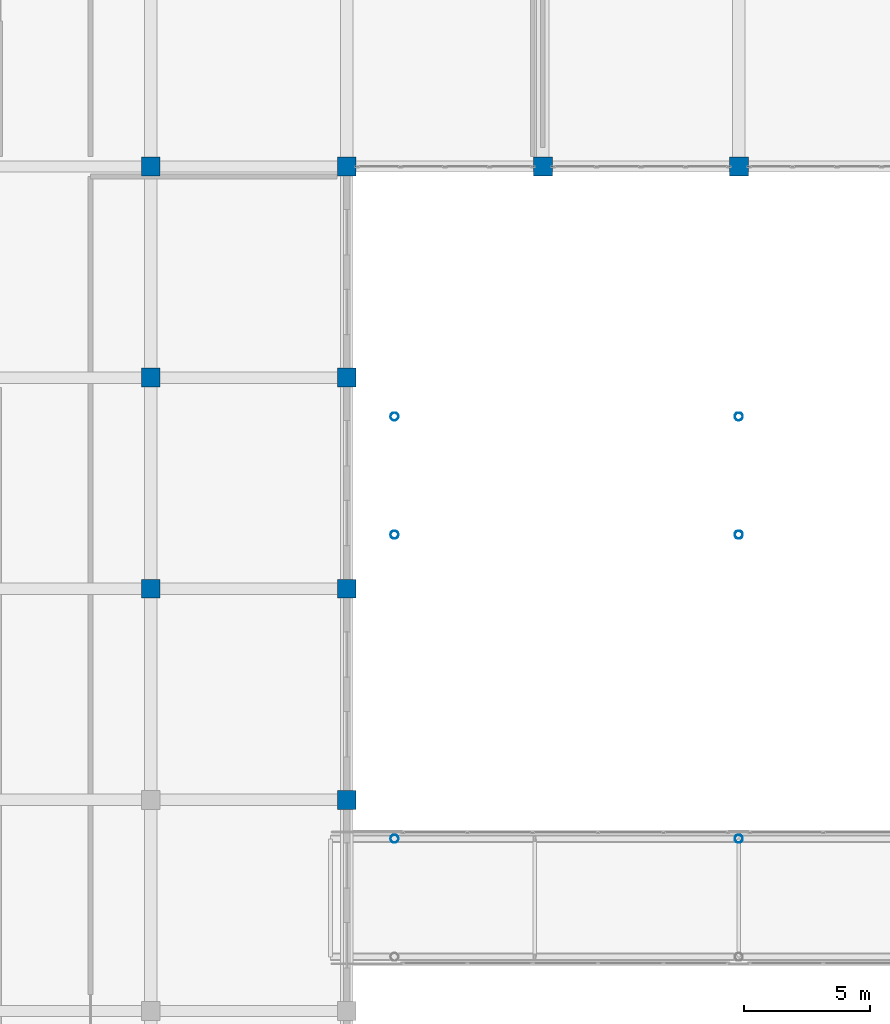
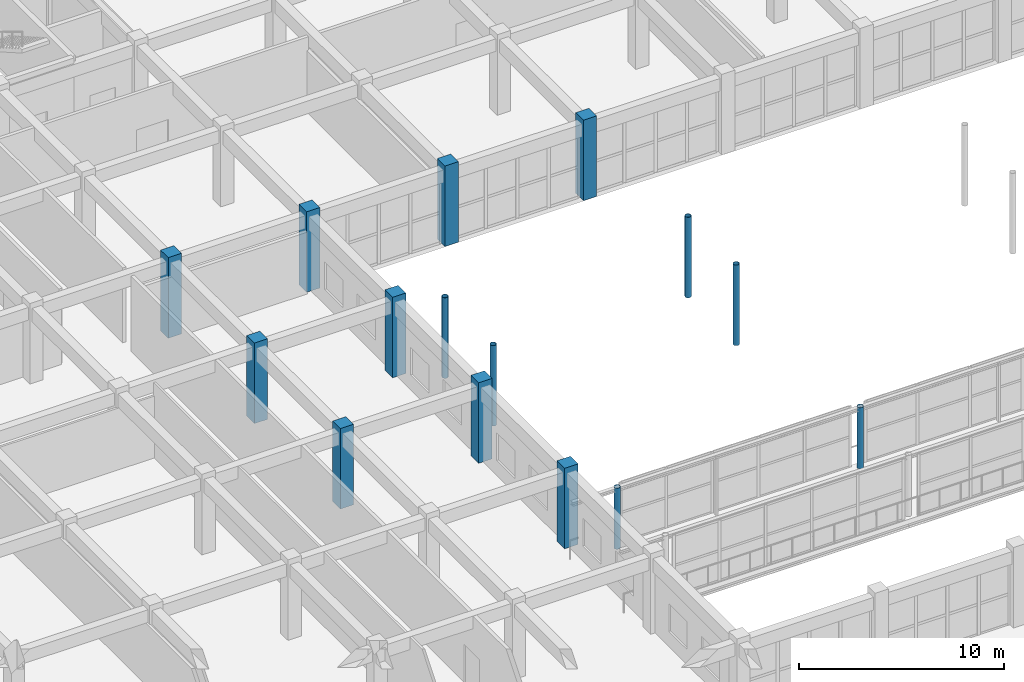
# One storey, part 5 of 175: 15 columns.
"""IFC4 building model written with IfcOpenShell, lengths in metres."""

from ifc_helpers import new_model, si_unit, direction, frame, origin, origin_2d, place, context, subcontext, project, spatial, rectangle, hollow_circle, extrude, material, material_profile, profile_set, type_object, element, save


model = new_model("IFC4")

# Units and contexts
model_context = context("Model", 3, precision=1e-05, world=origin(), true_north=direction((0.0, 1.0)))
body_context = subcontext(model_context, "Body", "Model", "MODEL_VIEW")
ifc_project = project(units=[si_unit("LENGTHUNIT", "METRE"), si_unit("AREAUNIT", "SQUARE_METRE"), si_unit("VOLUMEUNIT", "CUBIC_METRE"), si_unit("PLANEANGLEUNIT", "RADIAN"), si_unit("MASSUNIT", "GRAM", prefix="KILO")], contexts=[model_context])

# Site, building, storey
site_placement = place(None, origin())
site = spatial("IfcSite", under=ifc_project, at=site_placement, CompositionType="ELEMENT")
building_placement = place(site_placement, origin())
building = spatial("IfcBuilding", under=site, at=building_placement, Name="Zizhar Promenade General Hospital", CompositionType="ELEMENT")
storey_placement = place(building_placement, frame((0.0, 0.0, 4.800048828125)))
storey = spatial("IfcBuildingStorey", under=building, at=storey_placement, Name="L01", CompositionType="ELEMENT", Elevation=4.800048828125)

# Columns
ifc_material_1 = material(Name="Concrete C40/50", Category="concrete")
ifc_material_profile_1 = material_profile(ifc_material_1, rectangle(XDim=0.75, YDim=0.75, at=origin_2d()))
ifc_profile_set_1 = profile_set([ifc_material_profile_1], Name="Concrete C40/50")
column_type_1 = type_object("IfcColumnType", Name="COL-RC-750", PredefinedType="COLUMN", material=ifc_profile_set_1)
for number, where, z_axis, x_axis, name in (
    (1, (62.39990234375, 75.60009765625, 0.0), (0.0, 0.0, 1.0), (1.0, 0.0, 0.0), "Column 9-K (L01)"),
    (2, (62.39990234375, 84.0, 0.0), (0.0, 0.0, 1.0), (1.0, 0.0, 0.0), "Column 9-L (L01)"),
    (3, (62.39990234375, 92.39990234375, 0.0), (0.0, 0.0, 1.0), (1.0, 0.0, 0.0), "Column 9-M (L01)"),
    (4, (70.199951171875, 67.199951171875, 0.0), (0.0, 0.0, 1.0), (1.0, 0.0, 0.0), "Column 10-J (L01)"),
    (5, (70.199951171875, 75.60009765625, 0.0), (0.0, 0.0, 1.0), (1.0, 0.0, 0.0), "Column 10-K (L01)"),
    (6, (70.199951171875, 84.0, 0.0), (0.0, 0.0, 1.0), (1.0, 0.0, 0.0), "Column 10-L (L01)"),
    (7, (70.199951171875, 92.39990234375, 0.0), (0.0, 0.0, 1.0), (1.0, 0.0, 0.0), "Column 10-M (L01)"),
    (8, (78.0, 92.39990234375, 0.0), (0.0, 0.0, 1.0), (1.0, 0.0, 0.0), "Column 11-M (L01)"),
    (9, (85.800048828125, 92.39990234375, 0.0), (0.0, 0.0, 1.0), (1.0, 0.0, 0.0), "Column 12-M (L01)"),
):
    element("IfcColumn", number, at=place(storey_placement, frame(where, z_axis=z_axis, x_axis=x_axis)), inside=storey, type_object=column_type_1, Name=name, PredefinedType="COLUMN", context=body_context, shape_type="SweptSolid", body=[
        extrude(rectangle(XDim=0.75, YDim=0.75, at=origin_2d()), origin(), (0.0, 0.0, 1.0), 4.800048828125),
    ])
ifc_material_2 = material(Name="Steel S355", Category="steel")
ifc_material_profile_2 = material_profile(ifc_material_2, hollow_circle(Radius=0.161865234375, WallThickness=0.012451171875, at=origin_2d()))
ifc_profile_set_2 = profile_set([ifc_material_profile_2], Name="Steel S355")
column_type_2 = type_object("IfcColumnType", Name="COL-STL-CHS324", PredefinedType="COLUMN", material=ifc_profile_set_2)
for number, where, z_axis, x_axis, name in (
    (10, (85.800048828125, 65.64990234375, 0.0), (0.0, 0.0, 1.0), (1.0, 0.0, 0.0), "SB-1 Courtyard Pier 1N (L01)"),
    (11, (72.10009765625, 65.64990234375, 0.0), (0.0, 0.0, 1.0), (1.0, 0.0, 0.0), "SB-1 Abutment Pier 1N (L01)"),
):
    element("IfcColumn", number, at=place(storey_placement, frame(where, z_axis=z_axis, x_axis=x_axis)), inside=storey, type_object=column_type_2, Name=name, PredefinedType="COLUMN", context=body_context, shape_type="SweptSolid", body=[
        extrude(hollow_circle(Radius=0.161865234375, WallThickness=0.012451171875, at=origin_2d()), origin(), (0.0, 0.0, 1.0), 3.639892578125),
    ])
for number, where, z_axis, x_axis, name in (
    (12, (85.800048828125, 77.75, 0.0), (0.0, 0.0, 1.0), (1.0, 0.0, 0.0), "SB-2 Courtyard Pier 1S (L01)"),
    (13, (85.800048828125, 82.449951171875, 0.0), (0.0, 0.0, 1.0), (1.0, 0.0, 0.0), "SB-2 Courtyard Pier 1N (L01)"),
    (14, (72.10009765625, 77.75, 0.0), (0.0, 0.0, 1.0), (1.0, 0.0, 0.0), "SB-2 Abutment Pier 1S (L01)"),
    (15, (72.10009765625, 82.449951171875, 0.0), (0.0, 0.0, 1.0), (1.0, 0.0, 0.0), "SB-2 Abutment Pier 1N (L01)"),
):
    element("IfcColumn", number, at=place(storey_placement, frame(where, z_axis=z_axis, x_axis=x_axis)), inside=storey, type_object=column_type_2, Name=name, PredefinedType="COLUMN", context=body_context, shape_type="SweptSolid", body=[
        extrude(hollow_circle(Radius=0.161865234375, WallThickness=0.012451171875, at=origin_2d()), origin(), (0.0, 0.0, 1.0), 4.800048828125),
    ])

save(model, "model.ifc")
